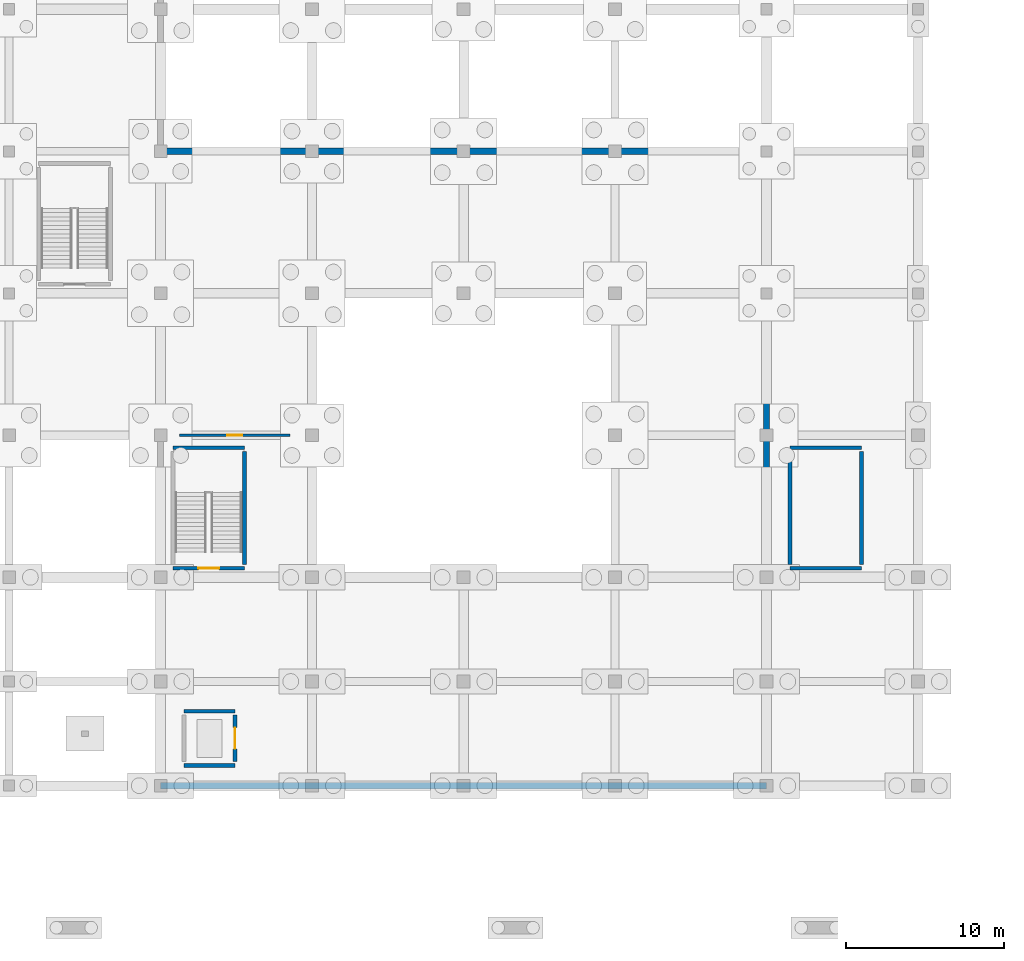
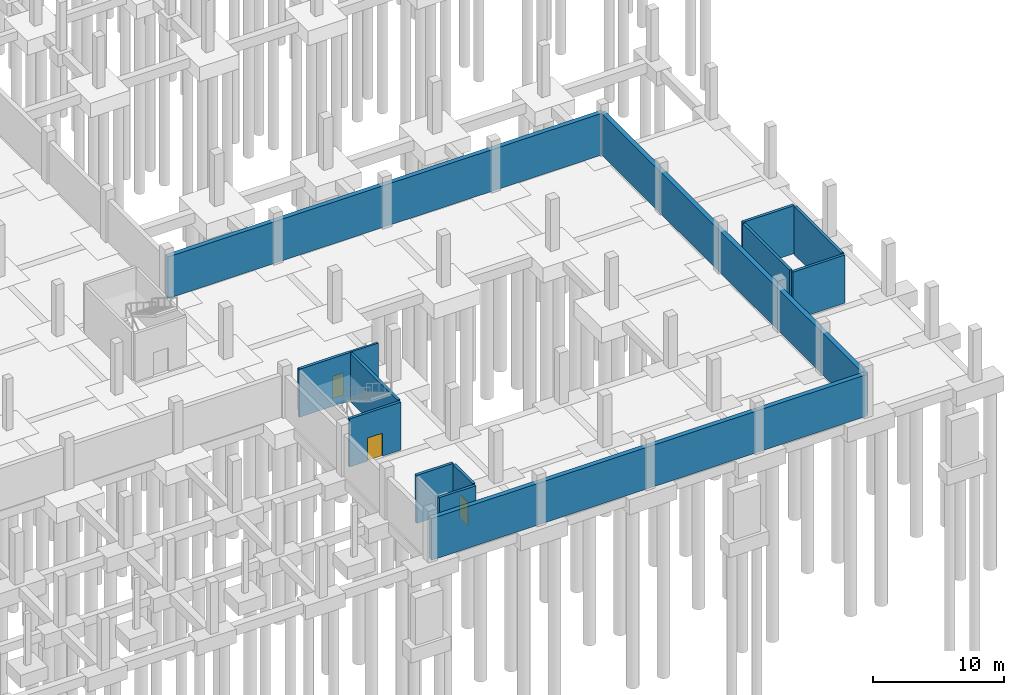
# One storey, part 31 of 39: 14 walls, 3 doors, 3 openings.
"""IFC4 building model written with IfcOpenShell, lengths in metres."""

from ifc_helpers import new_model, si_unit, direction, frame, frame_2d, origin, place, context, subcontext, project, spatial, rectangle, extrude, material, layer, layer_set, type_object, element, fill, save


model = new_model("IFC4")

# Units and contexts
model_context = context("Model", 3, precision=1e-05, world=origin(), true_north=direction((0.0, 1.0)))
body_context = subcontext(model_context, "Body", "Model", "MODEL_VIEW")
ifc_project = project(units=[si_unit("LENGTHUNIT", "METRE"), si_unit("AREAUNIT", "SQUARE_METRE"), si_unit("VOLUMEUNIT", "CUBIC_METRE"), si_unit("PLANEANGLEUNIT", "RADIAN"), si_unit("MASSUNIT", "GRAM", prefix="KILO")], contexts=[model_context])

# Site, building, storey
site_placement = place(None, origin())
site = spatial("IfcSite", under=ifc_project, at=site_placement, CompositionType="ELEMENT")
building_placement = place(site_placement, origin())
building = spatial("IfcBuilding", under=site, at=building_placement, Name="Zarnetskaya Central Station", CompositionType="ELEMENT")
storey_placement = place(building_placement, frame((0.0, 0.0, -4.800048828125)))
storey = spatial("IfcBuildingStorey", under=building, at=storey_placement, Name="B1", CompositionType="ELEMENT", Elevation=-4.800048828125)

# Wall, opening, door
ifc_material_1 = material(Name="Concrete C30/37", Category="concrete")
ifc_layer_1 = layer(ifc_material_1, 0.175048828125, Name="Concrete C30/37", Category="concrete")
ifc_layer_set_1 = layer_set([ifc_layer_1], Name="Concrete C30/37")
wall_type_1 = type_object("IfcWallType", Name="PART-PLNT-175", PredefinedType="PARTITIONING", material=ifc_layer_set_1)
wall_1_placement = place(storey_placement, frame((133.0, 22.199951171875, 0.0), z_axis=(0.0, 0.0, 1.0), x_axis=(-1.0, 0.0, 0.0)))
wall_1 = element("IfcWall", 1, at=wall_1_placement, inside=storey, type_object=wall_type_1, Name="Interior partition IPRT-B1-0382", PredefinedType="PARTITIONING", context=body_context, shape_type="SweptSolid", body=[
    extrude(rectangle(XDim=7.0, YDim=0.175048828125, at=frame_2d((3.5, 0.0))), origin(), (0.0, 0.0, 1.0), 3.85009765625),
])
opening_1_placement = place(wall_1_placement, frame((3.010009765625, 0.0, 0.0)))
opening_1 = element("IfcOpeningElement", 2, at=opening_1_placement, cuts=wall_1, Name="Opening DR-22", PredefinedType="OPENING", context=body_context, shape_type="SweptSolid", body=[
    extrude(rectangle(XDim=0.97998046875, YDim=2.10009765625, at=frame_2d((0.489990234375, 1.050048828125))), frame((0.0, 0.09765625, 0.0), z_axis=(0.0, -1.0, 0.0), x_axis=(1.0, 0.0, 0.0)), (0.0, 0.0, 1.0), 0.195068359375),
])
ifc_material_2 = material(Name="Anodised aluminium", Category="aluminium")
door_type_1 = type_object("IfcDoorType", Name="DR-INT-03", OperationType="NOTDEFINED", PredefinedType="DOOR", material=ifc_material_2)
door_1_placement = place(opening_1_placement, origin())
door_1 = element("IfcDoor", 3, at=door_1_placement, inside=storey, type_object=door_type_1, Name="Retail Cold and Dry Storage Vault door", OperationType="SINGLE_SWING_RIGHT", OverallHeight=2.10009765625, OverallWidth=0.97998046875, PredefinedType="DOOR", context=body_context, shape_type="SweptSolid", body=[
    extrude(rectangle(XDim=0.97998046875, YDim=2.10009765625, at=frame_2d((0.489990234375, 1.050048828125))), frame((0.0, 0.02490234375, 0.0), z_axis=(0.0, -1.0, 0.0), x_axis=(1.0, 0.0, 0.0)), (0.0, 0.0, 1.0), 0.050048828125),
])
fill(opening_1, door_1)

# Walls
ifc_material_3 = material(Name="Concrete C35/45", Category="concrete")
ifc_layer_2 = layer(ifc_material_3, 0.39990234375, Name="Concrete C35/45", Category="concrete")
ifc_layer_set_2 = layer_set([ifc_layer_2], Name="Concrete C35/45")
wall_type_2 = type_object("IfcWallType", Name="WALL-RET-400", PredefinedType="USERDEFINED", material=ifc_layer_set_2)
wall_2_placement = place(storey_placement, frame((124.800048828125, 40.199951171875, 0.0), z_axis=(0.0, 0.0, 1.0), x_axis=(1.0, 0.0, 0.0)))
element("IfcWall", 4, at=wall_2_placement, inside=storey, type_object=wall_type_2, Name="Basement perimeter retaining wall 08", ObjectType="RETAININGWALL", PredefinedType="USERDEFINED", context=body_context, shape_type="SweptSolid", body=[
    extrude(rectangle(XDim=38.39990234375, YDim=0.39990234375, at=frame_2d((19.199951171875, 0.0))), origin(), (0.0, 0.0, 1.0), 3.880126953125),
])
wall_3_placement = place(storey_placement, frame((163.199951171875, 40.199951171875, 0.0), z_axis=(0.0, 0.0, 1.0), x_axis=(0.0, -1.0, 0.0)))
element("IfcWall", 5, at=wall_3_placement, inside=storey, type_object=wall_type_2, Name="Basement perimeter retaining wall 09", ObjectType="RETAININGWALL", PredefinedType="USERDEFINED", context=body_context, shape_type="SweptSolid", body=[
    extrude(rectangle(XDim=40.199951171875, YDim=0.39990234375, at=frame_2d((20.10009765625, 0.0))), origin(), (0.0, 0.0, 1.0), 3.880126953125),
])
wall_4_placement = place(storey_placement, frame((163.199951171875, 0.0, 0.0), z_axis=(0.0, 0.0, 1.0), x_axis=(-1.0, 0.0, 0.0)))
element("IfcWall", 6, at=wall_4_placement, inside=storey, type_object=wall_type_2, Name="Basement perimeter retaining wall 10", ObjectType="RETAININGWALL", PredefinedType="USERDEFINED", context=body_context, shape_type="SweptSolid", body=[
    extrude(rectangle(XDim=38.39990234375, YDim=0.39990234375, at=frame_2d((19.199951171875, 0.0))), origin(), (0.0, 0.0, 1.0), 3.880126953125),
])
ifc_layer_3 = layer(ifc_material_3, 0.239990234375, Name="Concrete C35/45", Category="concrete")
ifc_layer_set_3 = layer_set([ifc_layer_3], Name="Concrete C35/45")
wall_type_3 = type_object("IfcWallType", Name="WALL-SHFT-240", PredefinedType="SHEAR", material=ifc_layer_set_3)
for number, where, z_axis, x_axis, name in (
    (7, (129.52001953125, 1.280029296875, 0.0), (0.0, 0.0, 1.0), (-1.0, 0.0, 0.0), "Core shear wall WSHF-B1-0173"),
    (8, (126.280029296875, 4.719970703125, 0.0), (0.0, 0.0, 1.0), (1.0, 0.0, 0.0), "Core shear wall WSHF-B1-0174"),
):
    element("IfcWall", number, at=place(storey_placement, frame(where, z_axis=z_axis, x_axis=x_axis)), inside=storey, type_object=wall_type_3, Name=name, PredefinedType="SHEAR", context=body_context, shape_type="SweptSolid", body=[
        extrude(rectangle(XDim=3.239990234375, YDim=0.239990234375, at=frame_2d((1.6201171875, 0.0))), origin(), (0.0, 0.0, 1.0), 4.47998046875),
    ])

# Wall, opening, door
wall_5_placement = place(storey_placement, frame((129.52001953125, 4.47998046875, 0.0), z_axis=(0.0, 0.0, 1.0), x_axis=(0.0, -1.0, 0.0)))
wall_5 = element("IfcWall", 9, at=wall_5_placement, inside=storey, type_object=wall_type_3, Name="Core shear wall WSHF-B1-0176", PredefinedType="SHEAR", context=body_context, shape_type="SweptSolid", body=[
    extrude(rectangle(XDim=2.9599609375, YDim=0.239990234375, at=frame_2d((1.47998046875, 0.0))), origin(), (0.0, 0.0, 1.0), 4.47998046875),
])
opening_2_placement = place(wall_5_placement, frame((0.81005859375, 0.0, 0.0)))
opening_2 = element("IfcOpeningElement", 10, at=opening_2_placement, cuts=wall_5, Name="Opening DR-23", PredefinedType="OPENING", context=body_context, shape_type="SweptSolid", body=[
    extrude(rectangle(XDim=1.340087890625, YDim=2.179931640625, at=frame_2d((0.669921875, 1.08984375))), frame((0.0, 0.1298828125, 0.0), z_axis=(0.0, -1.0, 0.0), x_axis=(1.0, 0.0, 0.0)), (0.0, 0.0, 1.0), 0.260009765625),
])
door_type_2 = type_object("IfcDoorType", Name="DR-LIFT-PLAT", OperationType="NOTDEFINED", PredefinedType="DOOR", material=ifc_material_2)
door_2_placement = place(opening_2_placement, origin())
door_2 = element("IfcDoor", 11, at=door_2_placement, inside=storey, type_object=door_type_2, Name="Lift landing sliding door LP-07 B1", OperationType="DOUBLE_DOOR_SLIDING", OverallHeight=2.179931640625, OverallWidth=1.340087890625, PredefinedType="DOOR", context=body_context, shape_type="SweptSolid", body=[
    extrude(rectangle(XDim=1.340087890625, YDim=2.179931640625, at=frame_2d((0.669921875, 1.08984375))), frame((0.0, 0.02490234375, 0.0), z_axis=(0.0, -1.0, 0.0), x_axis=(1.0, 0.0, 0.0)), (0.0, 0.0, 1.0), 0.050048828125),
])
fill(opening_2, door_2)

wall_6_placement = place(storey_placement, frame((130.1201171875, 13.780029296875, 0.0), z_axis=(0.0, 0.0, 1.0), x_axis=(-1.0, 0.0, 0.0)))
wall_6 = element("IfcWall", 12, at=wall_6_placement, inside=storey, type_object=wall_type_3, Name="Core shear wall WSTR-B1-0285", PredefinedType="SHEAR", context=body_context, shape_type="SweptSolid", body=[
    extrude(rectangle(XDim=4.5400390625, YDim=0.239990234375, at=frame_2d((2.27001953125, 0.0))), origin(), (0.0, 0.0, 1.0), 4.47998046875),
])
opening_3_placement = place(wall_6_placement, frame((1.610107421875, 0.0, 0.0)))
opening_3 = element("IfcOpeningElement", 13, at=opening_3_placement, cuts=wall_6, Name="Opening DR-FD60", PredefinedType="OPENING", context=body_context, shape_type="SweptSolid", body=[
    extrude(rectangle(XDim=1.320068359375, YDim=2.14990234375, at=frame_2d((0.66015625, 1.074951171875))), frame((0.0, 0.1298828125, 0.0), z_axis=(0.0, -1.0, 0.0), x_axis=(1.0, 0.0, 0.0)), (0.0, 0.0, 1.0), 0.260009765625),
])
door_type_3 = type_object("IfcDoorType", Name="DR-FIRE-STAIR", OperationType="NOTDEFINED", PredefinedType="DOOR", material=ifc_material_2)
door_3_placement = place(opening_3_placement, origin())
door_3 = element("IfcDoor", 14, at=door_3_placement, inside=storey, type_object=door_type_3, Name="Protected exit stair door ST-V1 B1", OperationType="SINGLE_SWING_RIGHT", OverallHeight=2.14990234375, OverallWidth=1.320068359375, PredefinedType="DOOR", context=body_context, shape_type="SweptSolid", body=[
    extrude(rectangle(XDim=1.320068359375, YDim=2.14990234375, at=frame_2d((0.66015625, 1.074951171875))), frame((0.0, 0.02490234375, 0.0), z_axis=(0.0, -1.0, 0.0), x_axis=(1.0, 0.0, 0.0)), (0.0, 0.0, 1.0), 0.050048828125),
])
fill(opening_3, door_3)

# Walls
wall_7_placement = place(storey_placement, frame((125.580078125, 21.419921875, 0.0), z_axis=(0.0, 0.0, 1.0), x_axis=(1.0, 0.0, 0.0)))
element("IfcWall", 15, at=wall_7_placement, inside=storey, type_object=wall_type_3, Name="Core shear wall WSTR-B1-0286", PredefinedType="SHEAR", context=body_context, shape_type="SweptSolid", body=[
    extrude(rectangle(XDim=4.5400390625, YDim=0.239990234375, at=frame_2d((2.27001953125, 0.0))), origin(), (0.0, 0.0, 1.0), 4.47998046875),
])
wall_8_placement = place(storey_placement, frame((130.1201171875, 21.179931640625, 0.0), z_axis=(0.0, 0.0, 1.0), x_axis=(0.0, -1.0, 0.0)))
element("IfcWall", 16, at=wall_8_placement, inside=storey, type_object=wall_type_3, Name="Core shear wall WSTR-B1-0288", PredefinedType="SHEAR", context=body_context, shape_type="SweptSolid", body=[
    extrude(rectangle(XDim=7.159912109375, YDim=0.239990234375, at=frame_2d((3.580078125, 0.0))), origin(), (0.0, 0.0, 1.0), 4.47998046875),
])
for number, where, z_axis, x_axis, name in (
    (17, (169.219970703125, 13.780029296875, 0.0), (0.0, 0.0, 1.0), (-1.0, 0.0, 0.0), "Core shear wall WSTR-B1-0341"),
    (18, (164.679931640625, 21.419921875, 0.0), (0.0, 0.0, 1.0), (1.0, 0.0, 0.0), "Core shear wall WSTR-B1-0342"),
):
    element("IfcWall", number, at=place(storey_placement, frame(where, z_axis=z_axis, x_axis=x_axis)), inside=storey, type_object=wall_type_3, Name=name, PredefinedType="SHEAR", context=body_context, shape_type="SweptSolid", body=[
        extrude(rectangle(XDim=4.5400390625, YDim=0.239990234375, at=frame_2d((2.27001953125, 0.0))), origin(), (0.0, 0.0, 1.0), 4.47998046875),
    ])
for number, where, z_axis, x_axis, name in (
    (19, (164.679931640625, 14.02001953125, 0.0), (0.0, 0.0, 1.0), (0.0, 1.0, 0.0), "Core shear wall WSTR-B1-0343"),
    (20, (169.219970703125, 21.179931640625, 0.0), (0.0, 0.0, 1.0), (0.0, -1.0, 0.0), "Core shear wall WSTR-B1-0344"),
):
    element("IfcWall", number, at=place(storey_placement, frame(where, z_axis=z_axis, x_axis=x_axis)), inside=storey, type_object=wall_type_3, Name=name, PredefinedType="SHEAR", context=body_context, shape_type="SweptSolid", body=[
        extrude(rectangle(XDim=7.159912109375, YDim=0.239990234375, at=frame_2d((3.580078125, 0.0))), origin(), (0.0, 0.0, 1.0), 4.47998046875),
    ])

save(model, "model.ifc")
